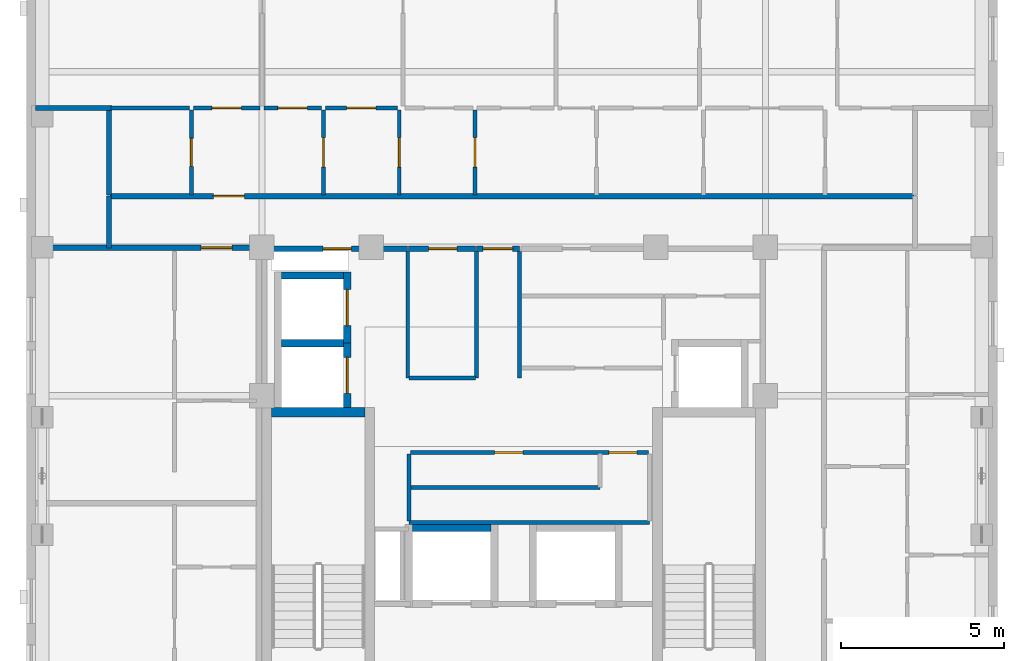
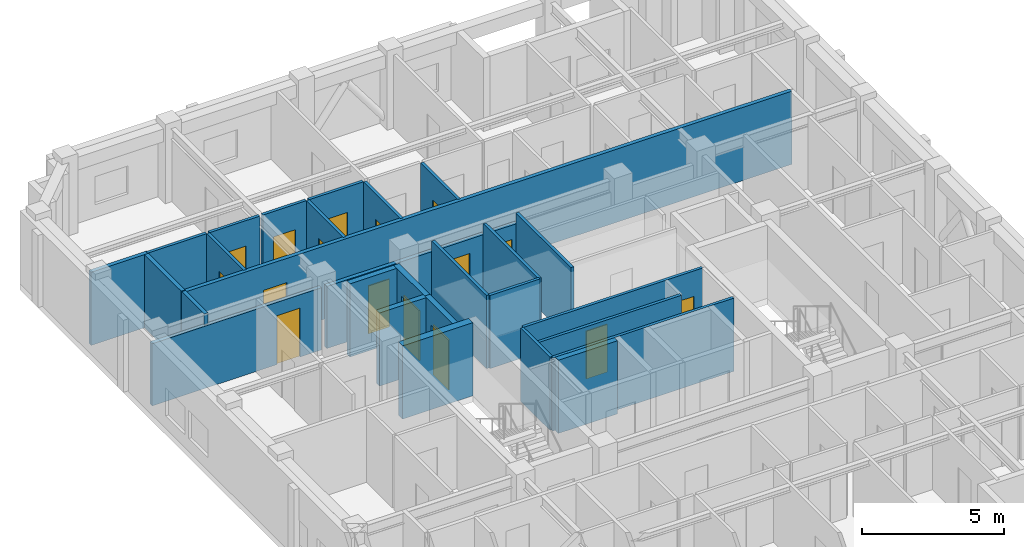
# One storey, part 5 of 11: 30 walls, 16 doors, 16 openings.
"""IFC4 building model written with IfcOpenShell, lengths in metres."""

from ifc_helpers import new_model, si_unit, derived_unit, direction, frame, frame_2d, origin, place, context, subcontext, project, spatial, rectangle, extrude, material, layer, layer_set, type_object, element, fill, save


model = new_model("IFC4")

# Units and contexts
model_context = context("Model", 3, precision=1e-05, world=origin(), true_north=direction((0.0, 1.0)))
body_context = subcontext(model_context, "Body", "Model", "MODEL_VIEW")
ifc_project = project(units=[si_unit("LENGTHUNIT", "METRE"), si_unit("AREAUNIT", "SQUARE_METRE"), si_unit("VOLUMEUNIT", "CUBIC_METRE"), si_unit("PLANEANGLEUNIT", "RADIAN"), si_unit("MASSUNIT", "GRAM", prefix="KILO"), derived_unit("THERMALTRANSMITTANCEUNIT", [(si_unit("MASSUNIT", "GRAM", prefix="KILO"), 1), (si_unit("TIMEUNIT", "SECOND"), -3), (si_unit("THERMODYNAMICTEMPERATUREUNIT", "KELVIN"), -1)])], contexts=[model_context])

# Site, building, storey
site_placement = place(None, origin())
site = spatial("IfcSite", under=ifc_project, at=site_placement, CompositionType="ELEMENT")
building_placement = place(site_placement, origin())
building = spatial("IfcBuilding", under=site, at=building_placement, Name="Korrvale Station Residences", CompositionType="ELEMENT")
storey_placement = place(building_placement, frame((0.0, 0.0, 241.10009765625)))
storey = spatial("IfcBuildingStorey", under=building, at=storey_placement, Name="L70", CompositionType="ELEMENT", Elevation=241.10009765625)

# Walls
ifc_material_1 = material(Name="Concrete C50/60", Category="concrete")
ifc_layer_1 = layer(ifc_material_1, 0.300048828125, Name="Concrete C50/60")
ifc_layer_set_1 = layer_set([ifc_layer_1], Name="Concrete C50/60")
wall_type_1 = type_object("IfcWallType", Name="WAL-CORE-300-C50", PredefinedType="SHEAR", material=ifc_layer_set_1)
wall_1_placement = place(storey_placement, frame((18.10009765625, 23.949951171875, 0.0), z_axis=(0.0, 0.0, 1.0), x_axis=(1.0, 0.0, 0.0)))
element("IfcWall", 1, at=wall_1_placement, inside=storey, type_object=wall_type_1, Name="L70 ST-1 Core Shear Wall North", PredefinedType="SHEAR", context=body_context, shape_type="SweptSolid", body=[
    extrude(rectangle(XDim=2.849853515625, YDim=0.300048828125, at=frame_2d((1.4248046875, 0.0))), origin(), (0.0, 0.0, 1.0), 3.139892578125),
])
ifc_material_2 = material(Name="Acoustic steel-stud gypsum board partition", Category="steel")
ifc_layer_2 = layer(ifc_material_2, 0.1201171875, Name="Acoustic steel-stud gypsum board partition")
ifc_layer_set_2 = layer_set([ifc_layer_2], Name="Acoustic steel-stud gypsum board partition")
wall_type_2 = type_object("IfcWallType", Name="WAL-PART-125", PredefinedType="PARTITIONING", material=ifc_layer_set_2)
for number, where, z_axis, x_axis, name in (
    (2, (24.360107421875, 25.0, 0.0), (0.0, 0.0, 1.0), (0.0, 1.0, 0.0), "L70 Core Partition CW-PSG-W"),
    (3, (25.679931640625, 25.0, 0.0), (0.0, 0.0, 1.0), (0.0, 1.0, 0.0), "L70 Core Partition CW-PSG-E"),
):
    element("IfcWall", number, at=place(storey_placement, frame(where, z_axis=z_axis, x_axis=x_axis)), inside=storey, type_object=wall_type_2, Name=name, PredefinedType="PARTITIONING", context=body_context, shape_type="SweptSolid", body=[
        extrude(rectangle(XDim=3.8701171875, YDim=0.1201171875, at=frame_2d((1.93505859375, 0.0))), origin(), (0.0, 0.0, 1.0), 3.139892578125),
    ])
wall_2_placement = place(storey_placement, frame((22.260009765625, 25.0, 0.0), z_axis=(0.0, 0.0, 1.0), x_axis=(0.0, 1.0, 0.0)))
element("IfcWall", 4, at=wall_2_placement, inside=storey, type_object=wall_type_2, Name="L70 Core Partition CW-FPLW-W", PredefinedType="PARTITIONING", context=body_context, shape_type="SweptSolid", body=[
    extrude(rectangle(XDim=3.860107421875, YDim=0.1201171875, at=frame_2d((1.93017578125, 0.0))), origin(), (0.0, 0.0, 1.0), 3.139892578125),
])
wall_3_placement = place(storey_placement, frame((22.300048828125, 25.0, 0.0), z_axis=(0.0, 0.0, 1.0), x_axis=(1.0, 0.0, 0.0)))
element("IfcWall", 5, at=wall_3_placement, inside=storey, type_object=wall_type_2, Name="L70 Core Partition CW-FPLW-S", PredefinedType="PARTITIONING", context=body_context, shape_type="SweptSolid", body=[
    extrude(rectangle(XDim=2.0400390625, YDim=0.1201171875, at=frame_2d((1.02001953125, 0.0))), origin(), (0.0, 0.0, 1.0), 3.139892578125),
])
wall_4_placement = place(storey_placement, frame((22.300048828125, 20.580078125, 0.0), z_axis=(0.0, 0.0, 1.0), x_axis=(1.0, 0.0, 0.0)))
element("IfcWall", 6, at=wall_4_placement, inside=storey, type_object=wall_type_2, Name="L70 Core Partition CW-FPM-S", PredefinedType="PARTITIONING", context=body_context, shape_type="SweptSolid", body=[
    extrude(rectangle(XDim=7.349853515625, YDim=0.1201171875, at=frame_2d((3.6748046875, 0.0))), origin(), (0.0, 0.0, 1.0), 3.139892578125),
])
wall_5_placement = place(storey_placement, frame((22.300048828125, 20.6201171875, 0.0), z_axis=(0.0, 0.0, 1.0), x_axis=(0.0, 1.0, 0.0)))
element("IfcWall", 7, at=wall_5_placement, inside=storey, type_object=wall_type_2, Name="L70 Core Partition CW-FPM-W", PredefinedType="PARTITIONING", context=body_context, shape_type="SweptSolid", body=[
    extrude(rectangle(XDim=2.059814453125, YDim=0.1201171875, at=frame_2d((1.02978515625, 0.0))), origin(), (0.0, 0.0, 1.0), 3.139892578125),
])
wall_6_placement = place(storey_placement, frame((22.35009765625, 21.64990234375, 0.0), z_axis=(0.0, 0.0, 1.0), x_axis=(1.0, 0.0, 0.0)))
element("IfcWall", 8, at=wall_6_placement, inside=storey, type_object=wall_type_2, Name="L70 Core Partition CW-FPM-H1", PredefinedType="PARTITIONING", context=body_context, shape_type="SweptSolid", body=[
    extrude(rectangle(XDim=5.789794921875, YDim=0.1201171875, at=frame_2d((2.89501953125, 0.0))), origin(), (0.0, 0.0, 1.0), 3.139892578125),
])

# Wall, openings, doors
wall_7_placement = place(storey_placement, frame((22.35009765625, 22.719970703125, 0.0), z_axis=(0.0, 0.0, 1.0), x_axis=(1.0, 0.0, 0.0)))
wall_7 = element("IfcWall", 9, at=wall_7_placement, inside=storey, type_object=wall_type_2, Name="L70 Core Partition CW-FPM-N", PredefinedType="PARTITIONING", context=body_context, shape_type="SweptSolid", body=[
    extrude(rectangle(XDim=7.27001953125, YDim=0.1201171875, at=frame_2d((3.635009765625, 0.0))), origin(), (0.0, 0.0, 1.0), 3.139892578125),
])
opening_1_placement = place(wall_7_placement, frame((2.570068359375, 0.0, 0.0)))
opening_1 = element("IfcOpeningElement", 10, at=opening_1_placement, cuts=wall_7, Name="Opening DB-860", PredefinedType="OPENING", context=body_context, shape_type="SweptSolid", body=[
    extrude(rectangle(XDim=0.860107421875, YDim=2.050048828125, at=frame_2d((0.43017578125, 1.02490234375))), frame((0.0, 0.070068359375, 0.0), z_axis=(0.0, -1.0, 0.0), x_axis=(1.0, 0.0, 0.0)), (0.0, 0.0, 1.0), 0.14013671875),
])
opening_2_placement = place(wall_7_placement, frame((6.06005859375, 0.0, 0.0)))
opening_2 = element("IfcOpeningElement", 11, at=opening_2_placement, cuts=wall_7, Name="Opening DB-860", PredefinedType="OPENING", context=body_context, shape_type="SweptSolid", body=[
    extrude(rectangle(XDim=0.860107421875, YDim=2.050048828125, at=frame_2d((0.43017578125, 1.02490234375))), frame((0.0, 0.070068359375, 0.0), z_axis=(0.0, -1.0, 0.0), x_axis=(1.0, 0.0, 0.0)), (0.0, 0.0, 1.0), 0.14013671875),
])
ifc_material_3 = material(Name="Moisture-resistant solid-core bathroom door", Category="timber")
door_type_1 = type_object("IfcDoorType", Name="DR-BATH-860", OperationType="NOTDEFINED", PredefinedType="DOOR", material=ifc_material_3)
door_1_placement = place(opening_1_placement, origin())
door_1 = element("IfcDoor", 12, at=door_1_placement, inside=storey, type_object=door_type_1, Name="L70 Sky Pantry Door", OperationType="SINGLE_SWING_LEFT", OverallHeight=2.050048828125, OverallWidth=0.860107421875, PredefinedType="DOOR", context=body_context, shape_type="SweptSolid", body=[
    extrude(rectangle(XDim=0.860107421875, YDim=2.050048828125, at=frame_2d((0.43017578125, 1.02490234375))), frame((0.0, 0.02490234375, 0.0), z_axis=(0.0, -1.0, 0.0), x_axis=(1.0, 0.0, 0.0)), (0.0, 0.0, 1.0), 0.050048828125),
])
fill(opening_1, door_1)
door_2_placement = place(opening_2_placement, origin())
door_2 = element("IfcDoor", 13, at=door_2_placement, inside=storey, type_object=door_type_1, Name="L70 Tableware Store Door", OperationType="SINGLE_SWING_RIGHT", OverallHeight=2.050048828125, OverallWidth=0.860107421875, PredefinedType="DOOR", context=body_context, shape_type="SweptSolid", body=[
    extrude(rectangle(XDim=0.860107421875, YDim=2.050048828125, at=frame_2d((0.43017578125, 1.02490234375))), frame((0.0, 0.02490234375, 0.0), z_axis=(0.0, -1.0, 0.0), x_axis=(1.0, 0.0, 0.0)), (0.0, 0.0, 1.0), 0.050048828125),
])
fill(opening_2, door_2)

# Wall, opening, door
wall_8_placement = place(storey_placement, frame((15.639892578125, 30.60009765625, 0.0), z_axis=(0.0, 0.0, 1.0), x_axis=(0.0, 1.0, 0.0)))
wall_8 = element("IfcWall", 14, at=wall_8_placement, inside=storey, type_object=wall_type_2, Name="L70 Suite Partition U03-V01", PredefinedType="PARTITIONING", context=body_context, shape_type="SweptSolid", body=[
    extrude(rectangle(XDim=2.599853515625, YDim=0.1201171875, at=frame_2d((1.2998046875, 0.0))), origin(), (0.0, 0.0, 1.0), 3.139892578125),
])
opening_3_placement = place(wall_8_placement, frame((0.8701171875, 0.0, 0.0)))
opening_3 = element("IfcOpeningElement", 15, at=opening_3_placement, cuts=wall_8, Name="Opening DB-860", PredefinedType="OPENING", context=body_context, shape_type="SweptSolid", body=[
    extrude(rectangle(XDim=0.860107421875, YDim=2.050048828125, at=frame_2d((0.43017578125, 1.02490234375))), frame((0.0, 0.070068359375, 0.0), z_axis=(0.0, -1.0, 0.0), x_axis=(1.0, 0.0, 0.0)), (0.0, 0.0, 1.0), 0.14013671875),
])
door_3_placement = place(opening_3_placement, origin())
door_3 = element("IfcDoor", 16, at=door_3_placement, inside=storey, type_object=door_type_1, Name="L70 Apartment 3BR L70-U03 Bathroom Door", OperationType="SINGLE_SWING_RIGHT", OverallHeight=2.050048828125, OverallWidth=0.860107421875, PredefinedType="DOOR", context=body_context, shape_type="SweptSolid", body=[
    extrude(rectangle(XDim=0.860107421875, YDim=2.050048828125, at=frame_2d((0.43017578125, 1.02490234375))), frame((0.0, 0.02490234375, 0.0), z_axis=(0.0, -1.0, 0.0), x_axis=(1.0, 0.0, 0.0)), (0.0, 0.0, 1.0), 0.050048828125),
])
fill(opening_3, door_3)

# Wall
wall_9_placement = place(storey_placement, frame((13.179931640625, 33.260009765625, 0.0), z_axis=(0.0, 0.0, 1.0), x_axis=(1.0, 0.0, 0.0)))
element("IfcWall", 17, at=wall_9_placement, inside=storey, type_object=wall_type_2, Name="L70 Suite Partition U03-H08", PredefinedType="PARTITIONING", context=body_context, shape_type="SweptSolid", body=[
    extrude(rectangle(XDim=2.400146484375, YDim=0.1201171875, at=frame_2d((1.2001953125, 0.0))), origin(), (0.0, 0.0, 1.0), 3.139892578125),
])

# Wall, opening, door
wall_10_placement = place(storey_placement, frame((19.679931640625, 30.60009765625, 0.0), z_axis=(0.0, 0.0, 1.0), x_axis=(0.0, 1.0, 0.0)))
wall_10 = element("IfcWall", 18, at=wall_10_placement, inside=storey, type_object=wall_type_2, Name="L70 Suite Partition U03-V12", PredefinedType="PARTITIONING", context=body_context, shape_type="SweptSolid", body=[
    extrude(rectangle(XDim=2.599853515625, YDim=0.1201171875, at=frame_2d((1.2998046875, 0.0))), origin(), (0.0, 0.0, 1.0), 3.139892578125),
])
opening_4_placement = place(wall_10_placement, frame((0.85009765625, 0.0, 0.0)))
opening_4 = element("IfcOpeningElement", 19, at=opening_4_placement, cuts=wall_10, Name="Opening DI-900", PredefinedType="OPENING", context=body_context, shape_type="SweptSolid", body=[
    extrude(rectangle(XDim=0.89990234375, YDim=2.050048828125, at=frame_2d((0.449951171875, 1.02490234375))), frame((0.0, 0.070068359375, 0.0), z_axis=(0.0, -1.0, 0.0), x_axis=(1.0, 0.0, 0.0)), (0.0, 0.0, 1.0), 0.14013671875),
])
ifc_material_4 = material(Name="Painted solid-core timber interior room door", Category="wood")
door_type_2 = type_object("IfcDoorType", Name="DR-INT-900", OperationType="NOTDEFINED", PredefinedType="DOOR", material=ifc_material_4)
door_4_placement = place(opening_4_placement, origin())
door_4 = element("IfcDoor", 20, at=door_4_placement, inside=storey, type_object=door_type_2, Name="L70 Apartment 3BR L70-U03 Kitchen Door", OperationType="SINGLE_SWING_LEFT", OverallHeight=2.050048828125, OverallWidth=0.89990234375, PredefinedType="DOOR", context=body_context, shape_type="SweptSolid", body=[
    extrude(rectangle(XDim=0.89990234375, YDim=2.050048828125, at=frame_2d((0.449951171875, 1.02490234375))), frame((0.0, 0.02490234375, 0.0), z_axis=(0.0, -1.0, 0.0), x_axis=(1.0, 0.0, 0.0)), (0.0, 0.0, 1.0), 0.050048828125),
])
fill(opening_4, door_4)

wall_11_placement = place(storey_placement, frame((15.699951171875, 33.260009765625, 0.0), z_axis=(0.0, 0.0, 1.0), x_axis=(1.0, 0.0, 0.0)))
wall_11 = element("IfcWall", 21, at=wall_11_placement, inside=storey, type_object=wall_type_2, Name="L70 Suite Partition U03-H18", PredefinedType="PARTITIONING", context=body_context, shape_type="SweptSolid", body=[
    extrude(rectangle(XDim=2.0400390625, YDim=0.1201171875, at=frame_2d((1.02001953125, 0.0))), origin(), (0.0, 0.0, 1.0), 3.139892578125),
])
opening_5_placement = place(wall_11_placement, frame((0.570068359375, 0.0, 0.0)))
opening_5 = element("IfcOpeningElement", 22, at=opening_5_placement, cuts=wall_11, Name="Opening DI-900", PredefinedType="OPENING", context=body_context, shape_type="SweptSolid", body=[
    extrude(rectangle(XDim=0.89990234375, YDim=2.050048828125, at=frame_2d((0.449951171875, 1.02490234375))), frame((0.0, 0.070068359375, 0.0), z_axis=(0.0, -1.0, 0.0), x_axis=(1.0, 0.0, 0.0)), (0.0, 0.0, 1.0), 0.14013671875),
])
door_5_placement = place(opening_5_placement, origin())
door_5 = element("IfcDoor", 23, at=door_5_placement, inside=storey, type_object=door_type_2, Name="L70 Apartment 3BR L70-U03 Kitchen Door", OperationType="SINGLE_SWING_RIGHT", OverallHeight=2.050048828125, OverallWidth=0.89990234375, PredefinedType="DOOR", context=body_context, shape_type="SweptSolid", body=[
    extrude(rectangle(XDim=0.89990234375, YDim=2.050048828125, at=frame_2d((0.449951171875, 1.02490234375))), frame((0.0, 0.02490234375, 0.0), z_axis=(0.0, -1.0, 0.0), x_axis=(1.0, 0.0, 0.0)), (0.0, 0.0, 1.0), 0.050048828125),
])
fill(opening_5, door_5)

wall_12_placement = place(storey_placement, frame((17.860107421875, 33.260009765625, 0.0), z_axis=(0.0, 0.0, 1.0), x_axis=(1.0, 0.0, 0.0)))
wall_12 = element("IfcWall", 24, at=wall_12_placement, inside=storey, type_object=wall_type_2, Name="L70 Suite Partition U03-H19", PredefinedType="PARTITIONING", context=body_context, shape_type="SweptSolid", body=[
    extrude(rectangle(XDim=1.760009765625, YDim=0.1201171875, at=frame_2d((0.8798828125, 0.0))), origin(), (0.0, 0.0, 1.0), 3.139892578125),
])
opening_6_placement = place(wall_12_placement, frame((0.429931640625, 0.0, 0.0)))
opening_6 = element("IfcOpeningElement", 25, at=opening_6_placement, cuts=wall_12, Name="Opening DI-900", PredefinedType="OPENING", context=body_context, shape_type="SweptSolid", body=[
    extrude(rectangle(XDim=0.89990234375, YDim=2.050048828125, at=frame_2d((0.449951171875, 1.02490234375))), frame((0.0, 0.070068359375, 0.0), z_axis=(0.0, -1.0, 0.0), x_axis=(1.0, 0.0, 0.0)), (0.0, 0.0, 1.0), 0.14013671875),
])
door_6_placement = place(opening_6_placement, origin())
door_6 = element("IfcDoor", 26, at=door_6_placement, inside=storey, type_object=door_type_2, Name="L70 Apartment 3BR L70-U03 Kitchen Door", OperationType="SINGLE_SWING_LEFT", OverallHeight=2.050048828125, OverallWidth=0.89990234375, PredefinedType="DOOR", context=body_context, shape_type="SweptSolid", body=[
    extrude(rectangle(XDim=0.89990234375, YDim=2.050048828125, at=frame_2d((0.449951171875, 1.02490234375))), frame((0.0, 0.02490234375, 0.0), z_axis=(0.0, -1.0, 0.0), x_axis=(1.0, 0.0, 0.0)), (0.0, 0.0, 1.0), 0.050048828125),
])
fill(opening_6, door_6)

wall_13_placement = place(storey_placement, frame((22.0, 30.60009765625, 0.0), z_axis=(0.0, 0.0, 1.0), x_axis=(0.0, 1.0, 0.0)))
wall_13 = element("IfcWall", 27, at=wall_13_placement, inside=storey, type_object=wall_type_2, Name="L70 Suite Partition U03-V23", PredefinedType="PARTITIONING", context=body_context, shape_type="SweptSolid", body=[
    extrude(rectangle(XDim=2.599853515625, YDim=0.1201171875, at=frame_2d((1.2998046875, 0.0))), origin(), (0.0, 0.0, 1.0), 3.139892578125),
])
opening_7_placement = place(wall_13_placement, frame((0.85009765625, 0.0, 0.0)))
opening_7 = element("IfcOpeningElement", 28, at=opening_7_placement, cuts=wall_13, Name="Opening DI-900", PredefinedType="OPENING", context=body_context, shape_type="SweptSolid", body=[
    extrude(rectangle(XDim=0.89990234375, YDim=2.050048828125, at=frame_2d((0.449951171875, 1.02490234375))), frame((0.0, 0.070068359375, 0.0), z_axis=(0.0, -1.0, 0.0), x_axis=(1.0, 0.0, 0.0)), (0.0, 0.0, 1.0), 0.14013671875),
])
door_7_placement = place(opening_7_placement, origin())
door_7 = element("IfcDoor", 29, at=door_7_placement, inside=storey, type_object=door_type_2, Name="L70 Apartment 3BR L70-U03 Wardrobe Storage Room Door", OperationType="SINGLE_SWING_RIGHT", OverallHeight=2.050048828125, OverallWidth=0.89990234375, PredefinedType="DOOR", context=body_context, shape_type="SweptSolid", body=[
    extrude(rectangle(XDim=0.89990234375, YDim=2.050048828125, at=frame_2d((0.449951171875, 1.02490234375))), frame((0.0, 0.02490234375, 0.0), z_axis=(0.0, -1.0, 0.0), x_axis=(1.0, 0.0, 0.0)), (0.0, 0.0, 1.0), 0.050048828125),
])
fill(opening_7, door_7)

wall_14_placement = place(storey_placement, frame((19.739990234375, 33.260009765625, 0.0), z_axis=(0.0, 0.0, 1.0), x_axis=(1.0, 0.0, 0.0)))
wall_14 = element("IfcWall", 30, at=wall_14_placement, inside=storey, type_object=wall_type_2, Name="L70 Suite Partition U03-H29", PredefinedType="PARTITIONING", context=body_context, shape_type="SweptSolid", body=[
    extrude(rectangle(XDim=2.199951171875, YDim=0.1201171875, at=frame_2d((1.10009765625, 0.0))), origin(), (0.0, 0.0, 1.0), 3.139892578125),
])
opening_8_placement = place(wall_14_placement, frame((0.64990234375, 0.0, 0.0)))
opening_8 = element("IfcOpeningElement", 31, at=opening_8_placement, cuts=wall_14, Name="Opening DI-900", PredefinedType="OPENING", context=body_context, shape_type="SweptSolid", body=[
    extrude(rectangle(XDim=0.89990234375, YDim=2.050048828125, at=frame_2d((0.449951171875, 1.02490234375))), frame((0.0, 0.070068359375, 0.0), z_axis=(0.0, -1.0, 0.0), x_axis=(1.0, 0.0, 0.0)), (0.0, 0.0, 1.0), 0.14013671875),
])
door_8_placement = place(opening_8_placement, origin())
door_8 = element("IfcDoor", 32, at=door_8_placement, inside=storey, type_object=door_type_2, Name="L70 Apartment 3BR L70-U03 Wardrobe Storage Room Door", OperationType="SINGLE_SWING_LEFT", OverallHeight=2.050048828125, OverallWidth=0.89990234375, PredefinedType="DOOR", context=body_context, shape_type="SweptSolid", body=[
    extrude(rectangle(XDim=0.89990234375, YDim=2.050048828125, at=frame_2d((0.449951171875, 1.02490234375))), frame((0.0, 0.02490234375, 0.0), z_axis=(0.0, -1.0, 0.0), x_axis=(1.0, 0.0, 0.0)), (0.0, 0.0, 1.0), 0.050048828125),
])
fill(opening_8, door_8)

wall_15_placement = place(storey_placement, frame((24.320068359375, 30.60009765625, 0.0), z_axis=(0.0, 0.0, 1.0), x_axis=(0.0, 1.0, 0.0)))
wall_15 = element("IfcWall", 33, at=wall_15_placement, inside=storey, type_object=wall_type_2, Name="L70 Suite Partition U03-V34", PredefinedType="PARTITIONING", context=body_context, shape_type="SweptSolid", body=[
    extrude(rectangle(XDim=2.599853515625, YDim=0.1201171875, at=frame_2d((1.2998046875, 0.0))), origin(), (0.0, 0.0, 1.0), 3.139892578125),
])
opening_9_placement = place(wall_15_placement, frame((0.85009765625, 0.0, 0.0)))
opening_9 = element("IfcOpeningElement", 34, at=opening_9_placement, cuts=wall_15, Name="Opening DI-900", PredefinedType="OPENING", context=body_context, shape_type="SweptSolid", body=[
    extrude(rectangle(XDim=0.89990234375, YDim=2.050048828125, at=frame_2d((0.449951171875, 1.02490234375))), frame((0.0, 0.070068359375, 0.0), z_axis=(0.0, -1.0, 0.0), x_axis=(1.0, 0.0, 0.0)), (0.0, 0.0, 1.0), 0.14013671875),
])
door_9_placement = place(opening_9_placement, origin())
door_9 = element("IfcDoor", 35, at=door_9_placement, inside=storey, type_object=door_type_2, Name="L70 Apartment 3BR L70-U03 Wardrobe Storage Room Door", OperationType="SINGLE_SWING_RIGHT", OverallHeight=2.050048828125, OverallWidth=0.89990234375, PredefinedType="DOOR", context=body_context, shape_type="SweptSolid", body=[
    extrude(rectangle(XDim=0.89990234375, YDim=2.050048828125, at=frame_2d((0.449951171875, 1.02490234375))), frame((0.0, 0.02490234375, 0.0), z_axis=(0.0, -1.0, 0.0), x_axis=(1.0, 0.0, 0.0)), (0.0, 0.0, 1.0), 0.050048828125),
])
fill(opening_9, door_9)

ifc_material_5 = material(Name="Fire-rated twin-stud gypsum and mineral wool shaftwall assembly", Category="gypsum")
ifc_layer_3 = layer(ifc_material_5, 0.159912109375, Name="Fire-rated twin-stud gypsum and mineral wool shaftwall assembly")
ifc_layer_set_3 = layer_set([ifc_layer_3], Name="Fire-rated twin-stud gypsum and mineral wool shaftwall assembly")
wall_type_3 = type_object("IfcWallType", Name="WAL-PART-200", PredefinedType="PARTITIONING", material=ifc_layer_set_3)
wall_16_placement = place(storey_placement, frame((24.360107421875, 28.949951171875, 0.0), z_axis=(0.0, 0.0, 1.0), x_axis=(1.0, 0.0, 0.0)))
wall_16 = element("IfcWall", 36, at=wall_16_placement, inside=storey, type_object=wall_type_3, Name="L70 Core Partition CW-LLOB-N", PredefinedType="PARTITIONING", context=body_context, shape_type="SweptSolid", body=[
    extrude(rectangle(XDim=1.31982421875, YDim=0.159912109375, at=frame_2d((0.659912109375, 0.0))), origin(), (0.0, 0.0, 1.0), 2.66796875),
])
opening_10_placement = place(wall_16_placement, frame((0.2099609375, 0.0, 0.0)))
opening_10 = element("IfcOpeningElement", 37, at=opening_10_placement, cuts=wall_16, Name="Opening DI-900", PredefinedType="OPENING", context=body_context, shape_type="SweptSolid", body=[
    extrude(rectangle(XDim=0.89990234375, YDim=2.050048828125, at=frame_2d((0.449951171875, 1.02490234375))), frame((0.0, 0.08984375, 0.0), z_axis=(0.0, -1.0, 0.0), x_axis=(1.0, 0.0, 0.0)), (0.0, 0.0, 1.0), 0.179931640625),
])
door_10_placement = place(opening_10_placement, origin())
door_10 = element("IfcDoor", 38, at=door_10_placement, inside=storey, type_object=door_type_2, Name="L70 Central Hallway North Passage Door", OperationType="SINGLE_SWING_LEFT", OverallHeight=2.050048828125, OverallWidth=0.89990234375, PredefinedType="DOOR", context=body_context, shape_type="SweptSolid", body=[
    extrude(rectangle(XDim=0.89990234375, YDim=2.050048828125, at=frame_2d((0.449951171875, 1.02490234375))), frame((0.0, 0.02490234375, 0.0), z_axis=(0.0, -1.0, 0.0), x_axis=(1.0, 0.0, 0.0)), (0.0, 0.0, 1.0), 0.050048828125),
])
fill(opening_10, door_10)

wall_17_placement = place(storey_placement, frame((17.9599609375, 28.949951171875, 0.0), z_axis=(0.0, 0.0, 1.0), x_axis=(1.0, 0.0, 0.0)))
wall_17 = element("IfcWall", 39, at=wall_17_placement, inside=storey, type_object=wall_type_3, Name="L70 Core Partition CW-NW", PredefinedType="PARTITIONING", context=body_context, shape_type="SweptSolid", body=[
    extrude(rectangle(XDim=4.2900390625, YDim=0.159912109375, at=frame_2d((2.14501953125, 0.0))), origin(), (0.0, 0.0, 1.0), 2.66796875),
])
opening_11_placement = place(wall_17_placement, frame((1.715087890625, 0.0, 0.0)))
opening_11 = element("IfcOpeningElement", 40, at=opening_11_placement, cuts=wall_17, Name="Opening DB-860", PredefinedType="OPENING", context=body_context, shape_type="SweptSolid", body=[
    extrude(rectangle(XDim=0.860107421875, YDim=2.050048828125, at=frame_2d((0.43017578125, 1.02490234375))), frame((0.0, 0.08984375, 0.0), z_axis=(0.0, -1.0, 0.0), x_axis=(1.0, 0.0, 0.0)), (0.0, 0.0, 1.0), 0.179931640625),
])
door_11_placement = place(opening_11_placement, origin())
door_11 = element("IfcDoor", 41, at=door_11_placement, inside=storey, type_object=door_type_1, Name="L70 Electrical Riser Access Door", OperationType="SINGLE_SWING_RIGHT", OverallHeight=2.050048828125, OverallWidth=0.860107421875, PredefinedType="DOOR", context=body_context, shape_type="SweptSolid", body=[
    extrude(rectangle(XDim=0.860107421875, YDim=2.050048828125, at=frame_2d((0.43017578125, 1.02490234375))), frame((0.0, 0.02490234375, 0.0), z_axis=(0.0, -1.0, 0.0), x_axis=(1.0, 0.0, 0.0)), (0.0, 0.0, 1.0), 0.050048828125),
])
fill(opening_11, door_11)

wall_18_placement = place(storey_placement, frame((22.280029296875, 28.949951171875, 0.0), z_axis=(0.0, 0.0, 1.0), x_axis=(1.0, 0.0, 0.0)))
wall_18 = element("IfcWall", 42, at=wall_18_placement, inside=storey, type_object=wall_type_3, Name="L70 Core Partition CW-FPLW-N", PredefinedType="PARTITIONING", context=body_context, shape_type="SweptSolid", body=[
    extrude(rectangle(XDim=2.06005859375, YDim=0.159912109375, at=frame_2d((1.030029296875, 0.0))), origin(), (0.0, 0.0, 1.0), 2.66796875),
])
opening_12_placement = place(wall_18_placement, frame((0.6201171875, 0.0, 0.0)))
opening_12 = element("IfcOpeningElement", 43, at=opening_12_placement, cuts=wall_18, Name="Opening DB-860", PredefinedType="OPENING", context=body_context, shape_type="SweptSolid", body=[
    extrude(rectangle(XDim=0.860107421875, YDim=2.050048828125, at=frame_2d((0.43017578125, 1.02490234375))), frame((0.0, 0.08984375, 0.0), z_axis=(0.0, -1.0, 0.0), x_axis=(1.0, 0.0, 0.0)), (0.0, 0.0, 1.0), 0.179931640625),
])
door_12_placement = place(opening_12_placement, origin())
door_12 = element("IfcDoor", 44, at=door_12_placement, inside=storey, type_object=door_type_1, Name="L70 Resident Parcel Room Door", OperationType="SINGLE_SWING_RIGHT", OverallHeight=2.050048828125, OverallWidth=0.860107421875, PredefinedType="DOOR", context=body_context, shape_type="SweptSolid", body=[
    extrude(rectangle(XDim=0.860107421875, YDim=2.050048828125, at=frame_2d((0.43017578125, 1.02490234375))), frame((0.0, 0.02490234375, 0.0), z_axis=(0.0, -1.0, 0.0), x_axis=(1.0, 0.0, 0.0)), (0.0, 0.0, 1.0), 0.050048828125),
])
fill(opening_12, door_12)

# Walls
wall_19_placement = place(storey_placement, frame((13.1201171875, 28.97998046875, 0.0), z_axis=(0.0, 0.0, 1.0), x_axis=(0.0, 1.0, 0.0)))
element("IfcWall", 45, at=wall_19_placement, inside=storey, type_object=wall_type_3, Name="L70 Corridor North West Cap", PredefinedType="PARTITIONING", context=body_context, shape_type="SweptSolid", body=[
    extrude(rectangle(XDim=1.580078125, YDim=0.159912109375, at=frame_2d((0.7900390625, 0.0))), origin(), (0.0, 0.0, 1.0), 3.139892578125),
])
wall_20_placement = place(storey_placement, frame((10.8798828125, 33.260009765625, 0.0), z_axis=(0.0, 0.0, 1.0), x_axis=(1.0, 0.0, 0.0)))
element("IfcWall", 46, at=wall_20_placement, inside=storey, type_object=wall_type_3, Name="L70 Corner Step Wall U03-L", PredefinedType="PARTITIONING", context=body_context, shape_type="SweptSolid", body=[
    extrude(rectangle(XDim=2.340087890625, YDim=0.159912109375, at=frame_2d((1.169921875, 0.0))), origin(), (0.0, 0.0, 1.0), 3.139892578125),
])
wall_21_placement = place(storey_placement, frame((13.1201171875, 30.60009765625, 0.0), z_axis=(0.0, 0.0, 1.0), x_axis=(0.0, 1.0, 0.0)))
element("IfcWall", 47, at=wall_21_placement, inside=storey, type_object=wall_type_3, Name="L70 Corner Step Cheek U03-L", PredefinedType="PARTITIONING", context=body_context, shape_type="SweptSolid", body=[
    extrude(rectangle(XDim=2.659912109375, YDim=0.159912109375, at=frame_2d((1.330078125, 0.0))), origin(), (0.0, 0.0, 1.0), 3.139892578125),
])

# Wall, opening, door
wall_22_placement = place(storey_placement, frame((10.8798828125, 28.97998046875, 0.0), z_axis=(0.0, 0.0, 1.0), x_axis=(1.0, 0.0, 0.0)))
wall_22 = element("IfcWall", 48, at=wall_22_placement, inside=storey, type_object=wall_type_3, Name="L70 Side Suite North Entry Wall U05", PredefinedType="PARTITIONING", context=body_context, shape_type="SweptSolid", body=[
    extrude(rectangle(XDim=6.880126953125, YDim=0.159912109375, at=frame_2d((3.43994140625, 0.0))), origin(), (0.0, 0.0, 1.0), 2.66796875),
])
opening_13_placement = place(wall_22_placement, frame((5.06005859375, 0.0, 0.0)))
opening_13 = element("IfcOpeningElement", 49, at=opening_13_placement, cuts=wall_22, Name="Opening UD-950", PredefinedType="OPENING", context=body_context, shape_type="SweptSolid", body=[
    extrude(rectangle(XDim=0.949951171875, YDim=2.10009765625, at=frame_2d((0.47509765625, 1.050048828125))), frame((0.0, 0.08984375, 0.0), z_axis=(0.0, -1.0, 0.0), x_axis=(1.0, 0.0, 0.0)), (0.0, 0.0, 1.0), 0.179931640625),
])
ifc_material_6 = material(Name="Solid-core acoustic oak apartment entrance door", Category="timber")
door_type_3 = type_object("IfcDoorType", Name="DR-UNIT-950", OperationType="NOTDEFINED", PredefinedType="DOOR", material=ifc_material_6)
door_13_placement = place(opening_13_placement, origin())
door_13 = element("IfcDoor", 50, at=door_13_placement, inside=storey, type_object=door_type_3, Name="L70 Apartment L70-U05 Entrance Door", OperationType="SINGLE_SWING_RIGHT", OverallHeight=2.10009765625, OverallWidth=0.949951171875, PredefinedType="DOOR", context=body_context, shape_type="SweptSolid", body=[
    extrude(rectangle(XDim=0.949951171875, YDim=2.10009765625, at=frame_2d((0.47509765625, 1.050048828125))), frame((0.0, 0.02490234375, 0.0), z_axis=(0.0, -1.0, 0.0), x_axis=(1.0, 0.0, 0.0)), (0.0, 0.0, 1.0), 0.050048828125),
])
fill(opening_13, door_13)

wall_23_placement = place(storey_placement, frame((13.14990234375, 30.56005859375, 0.0), z_axis=(0.0, 0.0, 1.0), x_axis=(1.0, 0.0, 0.0)))
wall_23 = element("IfcWall", 51, at=wall_23_placement, inside=storey, type_object=wall_type_3, Name="L70 Rated Corridor Wall N", PredefinedType="PARTITIONING", context=body_context, shape_type="SweptSolid", body=[
    extrude(rectangle(XDim=24.60009765625, YDim=0.159912109375, at=frame_2d((12.300048828125, 0.0))), origin(), (0.0, 0.0, 1.0), 3.139892578125),
])
opening_14_placement = place(wall_23_placement, frame((3.1650390625, 0.0, 0.0)))
opening_14 = element("IfcOpeningElement", 52, at=opening_14_placement, cuts=wall_23, Name="Opening UD-950", PredefinedType="OPENING", context=body_context, shape_type="SweptSolid", body=[
    extrude(rectangle(XDim=0.949951171875, YDim=2.10009765625, at=frame_2d((0.47509765625, 1.050048828125))), frame((0.0, 0.08984375, 0.0), z_axis=(0.0, -1.0, 0.0), x_axis=(1.0, 0.0, 0.0)), (0.0, 0.0, 1.0), 0.179931640625),
])
door_14_placement = place(opening_14_placement, origin())
door_14 = element("IfcDoor", 53, at=door_14_placement, inside=storey, type_object=door_type_3, Name="L70 Apartment L70-U03 Entrance Door", OperationType="SINGLE_SWING_LEFT", OverallHeight=2.10009765625, OverallWidth=0.949951171875, PredefinedType="DOOR", context=body_context, shape_type="SweptSolid", body=[
    extrude(rectangle(XDim=0.949951171875, YDim=2.10009765625, at=frame_2d((0.47509765625, 1.050048828125))), frame((0.0, 0.02490234375, 0.0), z_axis=(0.0, -1.0, 0.0), x_axis=(1.0, 0.0, 0.0)), (0.0, 0.0, 1.0), 0.050048828125),
])
fill(opening_14, door_14)

ifc_layer_4 = layer(ifc_material_1, 0.219970703125, Name="Concrete C50/60")
ifc_layer_set_4 = layer_set([ifc_layer_4], Name="Concrete C50/60")
wall_type_4 = type_object("IfcWallType", Name="WAL-SHAFT-220-C50", PredefinedType="SHEAR", material=ifc_layer_set_4)
wall_24_placement = place(storey_placement, frame((20.409912109375, 24.10009765625, 0.0), z_axis=(0.0, 0.0, 1.0), x_axis=(0.0, 1.0, 0.0)))
wall_24 = element("IfcWall", 54, at=wall_24_placement, inside=storey, type_object=wall_type_4, Name="L70 Elevator PH-1 Hoistway Wall East", PredefinedType="SHEAR", context=body_context, shape_type="SweptSolid", body=[
    extrude(rectangle(XDim=1.9599609375, YDim=0.219970703125, at=frame_2d((0.97998046875, 0.0))), origin(), (0.0, 0.0, 1.0), 3.139892578125),
])
opening_15_placement = place(wall_24_placement, frame((0.429931640625, 0.0, 0.0)))
opening_15 = element("IfcOpeningElement", 55, at=opening_15_placement, cuts=wall_24, Name="Opening LD-1100", PredefinedType="OPENING", context=body_context, shape_type="SweptSolid", body=[
    extrude(rectangle(XDim=1.10009765625, YDim=2.14990234375, at=frame_2d((0.550048828125, 1.074951171875))), frame((0.0, 0.1201171875, 0.0), z_axis=(0.0, -1.0, 0.0), x_axis=(1.0, 0.0, 0.0)), (0.0, 0.0, 1.0), 0.239990234375),
])
ifc_material_7 = material(Name="Brushed stainless-steel elevator landing sliding door", Category="steel")
door_type_4 = type_object("IfcDoorType", Name="DR-LIFT-1100", OperationType="SLIDING_TO_LEFT", PredefinedType="DOOR", material=ifc_material_7)
door_15_placement = place(opening_15_placement, origin())
door_15 = element("IfcDoor", 56, at=door_15_placement, inside=storey, type_object=door_type_4, Name="L70 Elevator PH-1 Sliding Landing Door", OperationType="SLIDING_TO_LEFT", OverallHeight=2.14990234375, OverallWidth=1.10009765625, PredefinedType="DOOR", context=body_context, shape_type="SweptSolid", body=[
    extrude(rectangle(XDim=1.10009765625, YDim=2.14990234375, at=frame_2d((0.550048828125, 1.074951171875))), frame((0.0, 0.02490234375, 0.0), z_axis=(0.0, -1.0, 0.0), x_axis=(1.0, 0.0, 0.0)), (0.0, 0.0, 1.0), 0.050048828125),
])
fill(opening_15, door_15)

# Walls
for number, where, z_axis, x_axis, name in (
    (57, (18.39990234375, 26.06005859375, 0.0), (0.0, 0.0, 1.0), (1.0, 0.0, 0.0), "L70 Elevator PH-2 Hoistway Wall South"),
    (58, (18.39990234375, 28.1298828125, 0.0), (0.0, 0.0, 1.0), (1.0, 0.0, 0.0), "L70 Elevator PH-2 Hoistway Wall North"),
):
    element("IfcWall", number, at=place(storey_placement, frame(where, z_axis=z_axis, x_axis=x_axis)), inside=storey, type_object=wall_type_4, Name=name, PredefinedType="SHEAR", context=body_context, shape_type="SweptSolid", body=[
        extrude(rectangle(XDim=1.900146484375, YDim=0.219970703125, at=frame_2d((0.9501953125, 0.0))), origin(), (0.0, 0.0, 1.0), 3.139892578125),
    ])

# Wall, opening, door
wall_25_placement = place(storey_placement, frame((20.409912109375, 26.06005859375, 0.0), z_axis=(0.0, 0.0, 1.0), x_axis=(0.0, 1.0, 0.0)))
wall_25 = element("IfcWall", 59, at=wall_25_placement, inside=storey, type_object=wall_type_4, Name="L70 Elevator PH-2 Hoistway Wall East", PredefinedType="SHEAR", context=body_context, shape_type="SweptSolid", body=[
    extrude(rectangle(XDim=2.179931640625, YDim=0.219970703125, at=frame_2d((1.08984375, 0.0))), origin(), (0.0, 0.0, 1.0), 3.139892578125),
])
opening_16_placement = place(wall_25_placement, frame((0.5400390625, 0.0, 0.0)))
opening_16 = element("IfcOpeningElement", 60, at=opening_16_placement, cuts=wall_25, Name="Opening LD-1100", PredefinedType="OPENING", context=body_context, shape_type="SweptSolid", body=[
    extrude(rectangle(XDim=1.10009765625, YDim=2.14990234375, at=frame_2d((0.550048828125, 1.074951171875))), frame((0.0, 0.1201171875, 0.0), z_axis=(0.0, -1.0, 0.0), x_axis=(1.0, 0.0, 0.0)), (0.0, 0.0, 1.0), 0.239990234375),
])
door_16_placement = place(opening_16_placement, origin())
door_16 = element("IfcDoor", 61, at=door_16_placement, inside=storey, type_object=door_type_4, Name="L70 Elevator PH-2 Sliding Landing Door", OperationType="SLIDING_TO_LEFT", OverallHeight=2.14990234375, OverallWidth=1.10009765625, PredefinedType="DOOR", context=body_context, shape_type="SweptSolid", body=[
    extrude(rectangle(XDim=1.10009765625, YDim=2.14990234375, at=frame_2d((0.550048828125, 1.074951171875))), frame((0.0, 0.02490234375, 0.0), z_axis=(0.0, -1.0, 0.0), x_axis=(1.0, 0.0, 0.0)), (0.0, 0.0, 1.0), 0.050048828125),
])
fill(opening_16, door_16)

# Wall
wall_26_placement = place(storey_placement, frame((22.39990234375, 20.409912109375, 0.0), z_axis=(0.0, 0.0, 1.0), x_axis=(1.0, 0.0, 0.0)))
element("IfcWall", 62, at=wall_26_placement, inside=storey, type_object=wall_type_4, Name="L70 Elevator FFL-1 Hoistway Wall North", PredefinedType="SHEAR", context=body_context, shape_type="SweptSolid", body=[
    extrude(rectangle(XDim=2.400146484375, YDim=0.219970703125, at=frame_2d((1.2001953125, 0.0))), origin(), (0.0, 0.0, 1.0), 3.139892578125),
])

save(model, "model.ifc")
